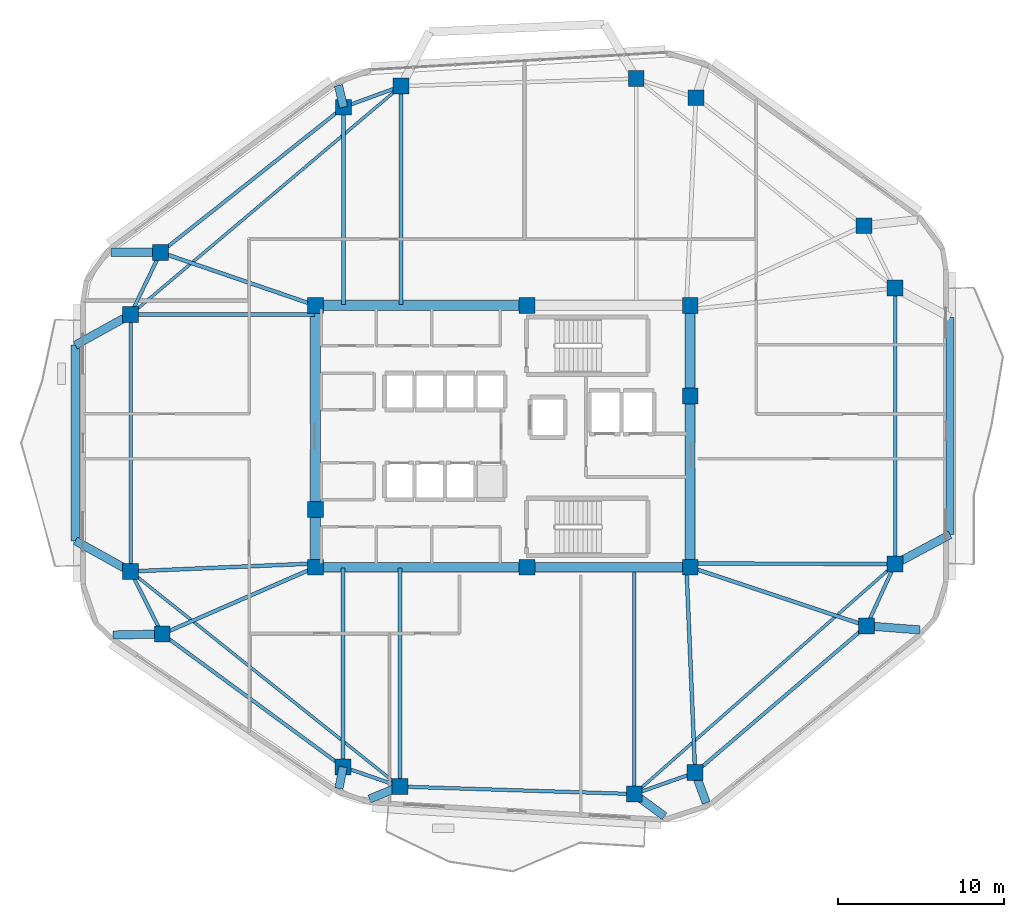
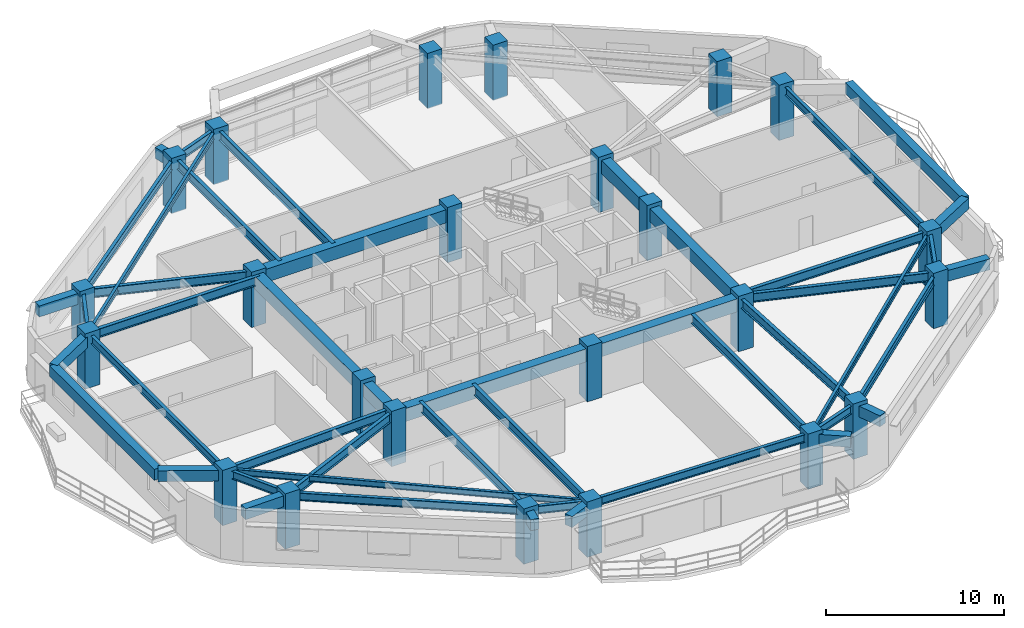
# One storey, part 1 of 15: 47 beams, 24 columns.
"""IFC4 building model written with IfcOpenShell, lengths in metres."""

import ifcopenshell
import ifcopenshell.guid

model = None  # the IFC model being written
_history = None  # IfcOwnerHistory: only IFC2X3 demands one
_inside = {}  # id of a spatial element -> (the spatial element, [elements in it])
_under = {}  # id of a project, library or spatial element -> (it, [spatial elements below it])
_declared = {}  # id of a project -> (the project, [libraries it declares])
_typed = {}  # id of a type object -> (the type object, [elements of that type])
_made_of = {}  # id of a material, layer set ... -> (it, [elements and type objects made of it])


def new_model(schema):
    """Start an empty IFC model of exactly this schema.

    Asked for "IFC4X3", IfcOpenShell would pick the latest addendum, in which some entities
    have other attributes; the version numbers below select the first issue.
    IFC2X3 requires an IfcOwnerHistory on every rooted entity: one is made here for all.
    """
    global model, _history
    if schema == "IFC4X3":
        model = ifcopenshell.file(schema_version=(4, 3, 0, 0))
    else:
        model = ifcopenshell.file(schema=schema)
    _inside.clear()
    _under.clear()
    _declared.clear()
    _typed.clear()
    _made_of.clear()
    _history = None
    if model.schema == "IFC2X3":
        org = make("IfcOrganization", Name="unknown")
        user = make(
            "IfcPersonAndOrganization",
            ThePerson=make("IfcPerson", FamilyName="unknown"),
            TheOrganization=org,
        )
        app = make(
            "IfcApplication",
            ApplicationDeveloper=org,
            Version="unknown",
            ApplicationFullName="unknown",
            ApplicationIdentifier="unknown",
        )
        _history = make(
            "IfcOwnerHistory",
            OwningUser=user,
            OwningApplication=app,
            ChangeAction="ADDED",
            CreationDate=0,
        )
    return model


def make(cls, **values):
    """One entity of the class cls with the attributes given. An attribute that is None is left unset."""
    return model.create_entity(
        cls, **{name: value for name, value in values.items() if value is not None}
    )


def rooted(cls, **values):
    """An entity with a GlobalId (a new one), such as an element, a storey or a relation."""
    return make(cls, GlobalId=ifcopenshell.guid.new(), OwnerHistory=_history, **values)


def si_unit(unit_type, name, prefix=None):
    """IfcSIUnit, for example si_unit("LENGTHUNIT", "METRE", prefix="MILLI")."""
    return make("IfcSIUnit", UnitType=unit_type, Prefix=prefix, Name=name)


def assignment(units):
    """IfcUnitAssignment: the units of a project."""
    return None if units is None else make("IfcUnitAssignment", Units=units)


def point(xyz):
    """IfcCartesianPoint."""
    return None if xyz is None else make("IfcCartesianPoint", Coordinates=xyz)


def direction(xyz):
    """IfcDirection."""
    return None if xyz is None else make("IfcDirection", DirectionRatios=xyz)


def frame(location, z_axis=None, x_axis=None):
    """IfcAxis2Placement3D, a coordinate frame: its origin and axes. An axis left out is left unset."""
    return make(
        "IfcAxis2Placement3D",
        Location=point(location),
        Axis=direction(z_axis),
        RefDirection=direction(x_axis),
    )


def frame_2d(location, x_axis=None):
    """IfcAxis2Placement2D, a coordinate frame in the plane: its origin and x axis."""
    return make(
        "IfcAxis2Placement2D", Location=point(location), RefDirection=direction(x_axis)
    )


def origin():
    """The frame at (0, 0, 0) with its axes left unset."""
    return frame((0.0, 0.0, 0.0))


def origin_2d():
    """The frame at (0, 0) in the plane with its x axis left unset."""
    return frame_2d((0.0, 0.0))


def place(relative_to, where):
    """IfcLocalPlacement: puts the frame where relative to a parent placement (None: the world)."""
    return make(
        "IfcLocalPlacement", PlacementRelTo=relative_to, RelativePlacement=where
    )


def context(
    kind, dimensions, precision=None, world=None, true_north=None, identifier=None
):
    """IfcGeometricRepresentationContext, for example the 3D "Model" context."""
    return make(
        "IfcGeometricRepresentationContext",
        ContextIdentifier=identifier,
        ContextType=kind,
        CoordinateSpaceDimension=dimensions,
        Precision=precision,
        WorldCoordinateSystem=world,
        TrueNorth=true_north,
    )


def subcontext(parent, identifier, kind, view, scale=None):
    """IfcGeometricRepresentationSubContext, for example "Body" below "Model"."""
    return make(
        "IfcGeometricRepresentationSubContext",
        ContextIdentifier=identifier,
        ContextType=kind,
        ParentContext=parent,
        TargetScale=scale,
        TargetView=view,
    )


def project(units=None, contexts=None):
    """IfcProject with its units and contexts."""
    return rooted(
        "IfcProject",
        Name="project",
        RepresentationContexts=contexts,
        UnitsInContext=assignment(units),
    )


def spatial(cls, under=None, at=None, **own):
    """A site, building, storey or space (cls), placed at a placement, below another one or the project."""
    s = rooted(cls, ObjectPlacement=at, **own)
    if under is not None:
        _under.setdefault(under.id(), (under, []))[1].append(s)
    return s


def profile(cls, at=None, kind="AREA", **sizes):
    """A parametric profile (cls). Its sizes go by their IFC names, for example OverallWidth=200.0."""
    return make(cls, ProfileType=kind, Position=at, **sizes)


def rectangle(**sizes):
    """IfcRectangleProfileDef."""
    return profile("IfcRectangleProfileDef", **sizes)


def i_section(**sizes):
    """IfcIShapeProfileDef."""
    return profile("IfcIShapeProfileDef", **sizes)


def extrude(swept, where, along, depth):
    """IfcExtrudedAreaSolid: the profile swept, set in the frame where, extruded along a direction by depth."""
    return make(
        "IfcExtrudedAreaSolid",
        SweptArea=swept,
        Position=where,
        ExtrudedDirection=direction(along),
        Depth=depth,
    )


def shape(context_of_items, identifier, shape_type, items):
    """IfcShapeRepresentation: the items that make up one representation, for example the "Body"."""
    return make(
        "IfcShapeRepresentation",
        ContextOfItems=context_of_items,
        RepresentationIdentifier=identifier,
        RepresentationType=shape_type,
        Items=items,
    )


def material(Name=None, Category=None):
    """IfcMaterial."""
    return make("IfcMaterial", Name=Name, Category=Category)


def material_profile(
    of_material, cross_section, Name=None, Category=None, Priority=None
):
    """IfcMaterialProfile: a cross section and its material."""
    return make(
        "IfcMaterialProfile",
        Name=Name,
        Material=of_material,
        Profile=cross_section,
        Priority=Priority,
        Category=Category,
    )


def profile_set(profiles, Name=None, composite=None):
    """IfcMaterialProfileSet."""
    return make(
        "IfcMaterialProfileSet",
        Name=Name,
        MaterialProfiles=profiles,
        CompositeProfile=composite,
    )


def made_of(thing, what):
    """Note that an element or type object is made of a material, layer set ...; save() writes the relation."""
    if what is not None:
        _made_of.setdefault(what.id(), (what, []))[1].append(thing)
    return thing


def type_object(cls, material=None, **own):
    """A type object (cls), such as IfcWallType, which elements share."""
    return made_of(rooted(cls, **own), material)


def element(
    cls,
    number,
    at=None,
    inside=None,
    cuts=None,
    type_object=None,
    material=None,
    context=None,
    identifier="Body",
    shape_type=None,
    held_by="IfcProductDefinitionShape",
    body=None,
    shapes=None,
    **own,
):
    """One element of the class cls, such as IfcWall. Its Tag is "e" and its number.

    at: its placement. inside: the storey or other place that contains it. cuts: it is an
    opening in that element (IfcRelVoidsElement). A single representation is given by context,
    identifier, shape_type and body (its items); several are given by shapes. held_by: the class
    of the entity that holds the representations. save() writes the other relations.
    """
    e = rooted(cls, Tag="e%d" % number, ObjectPlacement=at, **own)
    if body is not None:
        shapes = [shape(context, identifier, shape_type, body)]
    if shapes is not None:
        e.Representation = make(held_by, Representations=shapes)
    if inside is not None:
        _inside.setdefault(inside.id(), (inside, []))[1].append(e)
    if cuts is not None:
        rooted(
            "IfcRelVoidsElement", RelatingBuildingElement=cuts, RelatedOpeningElement=e
        )
    if type_object is not None:
        _typed.setdefault(type_object.id(), (type_object, []))[1].append(e)
    return made_of(e, material)


def aggregate(whole, parts):
    """IfcRelAggregates: a whole, such as a stair, and the parts it consists of."""
    return rooted("IfcRelAggregates", RelatingObject=whole, RelatedObjects=parts)


def save(model, path):
    """Write the relations noted so far, then the file.

    IfcRelAggregates (storeys below a building ...), IfcRelContainedInSpatialStructure (elements
    in a storey), IfcRelDefinesByType, IfcRelAssociatesMaterial and IfcRelDeclares: one each for
    every whole, place, type object, material and project.
    """
    for whole, parts in _under.values():
        aggregate(whole, parts)
    for where, things in _inside.values():
        rooted(
            "IfcRelContainedInSpatialStructure",
            RelatedElements=things,
            RelatingStructure=where,
        )
    for kind, things in _typed.values():
        rooted("IfcRelDefinesByType", RelatedObjects=things, RelatingType=kind)
    for what, things in _made_of.values():
        rooted("IfcRelAssociatesMaterial", RelatedObjects=things, RelatingMaterial=what)
    for by, libraries in _declared.values():
        rooted("IfcRelDeclares", RelatingContext=by, RelatedDefinitions=libraries)
    model.write(path)


model = new_model("IFC4")

# Units and contexts
model_context = context("Model", 3, precision=1e-05, world=origin(), true_north=direction((0.0, 1.0)))
body_context = subcontext(model_context, "Body", "Model", "MODEL_VIEW")
ifc_project = project(units=[si_unit("LENGTHUNIT", "METRE"), si_unit("AREAUNIT", "SQUARE_METRE"), si_unit("VOLUMEUNIT", "CUBIC_METRE"), si_unit("PLANEANGLEUNIT", "RADIAN"), si_unit("MASSUNIT", "GRAM", prefix="KILO")], contexts=[model_context])

# Site, building, storey
site_placement = place(None, origin())
site = spatial("IfcSite", under=ifc_project, at=site_placement, CompositionType="ELEMENT")
building_placement = place(site_placement, origin())
building = spatial("IfcBuilding", under=site, at=building_placement, Name="Zulverin Broadcast Headquarters", CompositionType="ELEMENT")
storey_placement = place(building_placement, frame((0.0, 0.0, 193.39990234375)))
storey = spatial("IfcBuildingStorey", under=building, at=storey_placement, Name="L49", CompositionType="ELEMENT", Elevation=193.39990234375)

# Columns
ifc_material_1 = material(Name="Concrete C50/60", Category="concrete")
ifc_material_profile_1 = material_profile(ifc_material_1, rectangle(XDim=0.949951171875, YDim=0.949951171875, at=origin_2d()), Name="Concrete C50/60", Category="concrete")
ifc_profile_set_1 = profile_set([ifc_material_profile_1], Name="Concrete C50/60")
column_type_1 = type_object("IfcColumnType", Name="COL-RC-950", PredefinedType="COLUMN", material=ifc_profile_set_1)
for number, where, z_axis, x_axis, name in (
    (1, (30.80859375, 4.12744140625, 0.0), (0.0, 0.0, 1.0), (1.0, 0.0, 0.0), "L49 Perimeter Column T01"),
    (2, (44.909912109375, 3.68017578125, 0.0), (0.0, 0.0, 1.0), (1.0, 0.0, 0.0), "L49 Perimeter Column T02"),
    (3, (48.569580078125, 4.967041015625, 0.0), (0.0, 0.0, 1.0), (1.0, 0.0, 0.0), "L49 Perimeter Column T03"),
    (4, (58.886962890625, 13.798095703125, 0.0), (0.0, 0.0, 1.0), (1.0, 0.0, 0.0), "L49 Perimeter Column T04"),
    (5, (60.60009765625, 17.519287109375, 0.0), (0.0, 0.0, 1.0), (1.0, 0.0, 0.0), "L49 Perimeter Column T05"),
    (6, (60.60009765625, 34.12158203125, 0.0), (0.0, 0.0, 1.0), (1.0, 0.0, 0.0), "L49 Perimeter Column T06"),
    (7, (58.738037109375, 37.877685546875, 0.0), (0.0, 0.0, 1.0), (1.0, 0.0, 0.0), "L49 Perimeter Column T07"),
    (8, (48.62158203125, 45.574951171875, 0.0), (0.0, 0.0, 1.0), (1.0, 0.0, 0.0), "L49 Perimeter Column T08"),
    (9, (45.027587890625, 46.7236328125, 0.0), (0.0, 0.0, 1.0), (1.0, 0.0, 0.0), "L49 Perimeter Column T09"),
    (10, (30.882080078125, 46.27490234375, 0.0), (0.0, 0.0, 1.0), (1.0, 0.0, 0.0), "L49 Perimeter Column T10"),
    (11, (27.416259765625, 45.00439453125, 0.0), (0.0, 0.0, 1.0), (1.0, 0.0, 0.0), "L49 Perimeter Column T11"),
    (12, (16.40869140625, 36.26806640625, 0.0), (0.0, 0.0, 1.0), (1.0, 0.0, 0.0), "L49 Perimeter Column T12"),
    (13, (14.60009765625, 32.523193359375, 0.0), (0.0, 0.0, 1.0), (1.0, 0.0, 0.0), "L49 Perimeter Column T13"),
    (14, (14.60009765625, 17.072021484375, 0.0), (0.0, 0.0, 1.0), (1.0, 0.0, 0.0), "L49 Perimeter Column T14"),
    (15, (16.50537109375, 13.306884765625, 0.0), (0.0, 0.0, 1.0), (1.0, 0.0, 0.0), "L49 Perimeter Column T15"),
    (16, (27.38720703125, 5.309814453125, 0.0), (0.0, 0.0, 1.0), (1.0, 0.0, 0.0), "L49 Perimeter Column T16"),
):
    element("IfcColumn", number, at=place(storey_placement, frame(where, z_axis=z_axis, x_axis=x_axis)), inside=storey, type_object=column_type_1, Name=name, PredefinedType="COLUMN", context=body_context, shape_type="SweptSolid", body=[
        extrude(rectangle(XDim=0.949951171875, YDim=0.949951171875, at=origin_2d()), origin(), (0.0, 0.0, 1.0), 3.800048828125),
    ])
ifc_material_profile_2 = material_profile(ifc_material_1, rectangle(XDim=0.949951171875, YDim=0.949951171875, at=origin_2d()), Name="Concrete C50/60", Category="concrete")
ifc_profile_set_2 = profile_set([ifc_material_profile_2], Name="Concrete C50/60")
column_type_2 = type_object("IfcColumnType", Name="PIL-RC-950", PredefinedType="PILASTER", material=ifc_profile_set_2)
for number, where, z_axis, x_axis, name in (
    (17, (25.72509765625, 17.324951171875, 0.0), (0.0, 0.0, 1.0), (1.0, 0.0, 0.0), "L49 Core Pilaster K01"),
    (18, (38.449951171875, 17.324951171875, 0.0), (0.0, 0.0, 1.0), (1.0, 0.0, 0.0), "L49 Core Pilaster K02"),
    (19, (48.27490234375, 17.324951171875, 0.0), (0.0, 0.0, 1.0), (1.0, 0.0, 0.0), "L49 Core Pilaster K03"),
    (20, (48.27490234375, 27.6201171875, 0.0), (0.0, 0.0, 1.0), (1.0, 0.0, 0.0), "L49 Core Pilaster K04"),
    (21, (48.27490234375, 33.074951171875, 0.0), (0.0, 0.0, 1.0), (1.0, 0.0, 0.0), "L49 Core Pilaster K05"),
    (22, (38.449951171875, 33.074951171875, 0.0), (0.0, 0.0, 1.0), (1.0, 0.0, 0.0), "L49 Core Pilaster K06"),
    (23, (25.72509765625, 33.074951171875, 0.0), (0.0, 0.0, 1.0), (1.0, 0.0, 0.0), "L49 Core Pilaster K07"),
    (24, (25.72509765625, 20.800048828125, 0.0), (0.0, 0.0, 1.0), (1.0, 0.0, 0.0), "L49 Core Pilaster K08"),
):
    element("IfcColumn", number, at=place(storey_placement, frame(where, z_axis=z_axis, x_axis=x_axis)), inside=storey, type_object=column_type_2, Name=name, PredefinedType="PILASTER", context=body_context, shape_type="SweptSolid", body=[
        extrude(rectangle(XDim=0.949951171875, YDim=0.949951171875, at=origin_2d()), origin(), (0.0, 0.0, 1.0), 3.800048828125),
    ])

# Beams
ifc_material_2 = material(Name="Concrete C60/75", Category="concrete")
ifc_material_profile_3 = material_profile(ifc_material_2, rectangle(XDim=0.60009765625, YDim=0.89990234375, at=origin_2d()), Name="Concrete C60/75", Category="concrete")
ifc_profile_set_3 = profile_set([ifc_material_profile_3], Name="Concrete C60/75")
beam_type_1 = type_object("IfcBeamType", Name="BM-CB-600x900", PredefinedType="LINTEL", material=ifc_profile_set_3)
beam_1_placement = place(storey_placement, frame((25.72509765625, 17.324951171875, 3.090087890625), z_axis=(1.0, 0.0, 0.0), x_axis=(0.0, 1.0, 0.0)))
element("IfcBeam", 25, at=beam_1_placement, inside=storey, type_object=beam_type_1, Name="L49 Core Coupling Girder K01-K02", PredefinedType="LINTEL", context=body_context, shape_type="SweptSolid", body=[
    extrude(rectangle(XDim=0.60009765625, YDim=0.89990234375, at=origin_2d()), origin(), (0.0, 0.0, 1.0), 12.724853515625),
])
beam_2_placement = place(storey_placement, frame((38.449951171875, 17.324951171875, 3.090087890625), z_axis=(1.0, 0.0, 0.0), x_axis=(0.0, 1.0, 0.0)))
element("IfcBeam", 26, at=beam_2_placement, inside=storey, type_object=beam_type_1, Name="L49 Core Coupling Girder K02-K03", PredefinedType="LINTEL", context=body_context, shape_type="SweptSolid", body=[
    extrude(rectangle(XDim=0.60009765625, YDim=0.89990234375, at=origin_2d()), origin(), (0.0, 0.0, 1.0), 9.824951171875),
])
beam_3_placement = place(storey_placement, frame((48.27490234375, 17.324951171875, 3.090087890625), z_axis=(0.0, 1.0, 0.0), x_axis=(-1.0, 0.0, 0.0)))
element("IfcBeam", 27, at=beam_3_placement, inside=storey, type_object=beam_type_1, Name="L49 Core Coupling Girder K03-K04", PredefinedType="LINTEL", context=body_context, shape_type="SweptSolid", body=[
    extrude(rectangle(XDim=0.60009765625, YDim=0.89990234375, at=origin_2d()), origin(), (0.0, 0.0, 1.0), 10.295166015625),
])
beam_4_placement = place(storey_placement, frame((48.27490234375, 27.6201171875, 3.090087890625), z_axis=(0.0, 1.0, 0.0), x_axis=(-1.0, 0.0, 0.0)))
element("IfcBeam", 28, at=beam_4_placement, inside=storey, type_object=beam_type_1, Name="L49 Core Coupling Girder K04-K05", PredefinedType="LINTEL", context=body_context, shape_type="SweptSolid", body=[
    extrude(rectangle(XDim=0.60009765625, YDim=0.89990234375, at=origin_2d()), origin(), (0.0, 0.0, 1.0), 5.454833984375),
])
beam_5_placement = place(storey_placement, frame((38.449951171875, 33.074951171875, 3.090087890625), z_axis=(-1.0, 0.0, 0.0), x_axis=(0.0, -1.0, 0.0)))
element("IfcBeam", 29, at=beam_5_placement, inside=storey, type_object=beam_type_1, Name="L49 Core Coupling Girder K06-K07", PredefinedType="LINTEL", context=body_context, shape_type="SweptSolid", body=[
    extrude(rectangle(XDim=0.60009765625, YDim=0.89990234375, at=origin_2d()), origin(), (0.0, 0.0, 1.0), 12.724853515625),
])
beam_6_placement = place(storey_placement, frame((25.72509765625, 33.074951171875, 3.090087890625), z_axis=(0.0, -1.0, 0.0), x_axis=(1.0, 0.0, 0.0)))
element("IfcBeam", 30, at=beam_6_placement, inside=storey, type_object=beam_type_1, Name="L49 Core Coupling Girder K07-K08", PredefinedType="LINTEL", context=body_context, shape_type="SweptSolid", body=[
    extrude(rectangle(XDim=0.60009765625, YDim=0.89990234375, at=origin_2d()), origin(), (0.0, 0.0, 1.0), 12.27490234375),
])
beam_7_placement = place(storey_placement, frame((25.72509765625, 20.800048828125, 3.090087890625), z_axis=(0.0, -1.0, 0.0), x_axis=(1.0, 0.0, 0.0)))
element("IfcBeam", 31, at=beam_7_placement, inside=storey, type_object=beam_type_1, Name="L49 Core Coupling Girder K08-K01", PredefinedType="LINTEL", context=body_context, shape_type="SweptSolid", body=[
    extrude(rectangle(XDim=0.60009765625, YDim=0.89990234375, at=origin_2d()), origin(), (0.0, 0.0, 1.0), 3.47509765625),
])
ifc_material_3 = material(Name="Concrete C40/50", Category="concrete")
ifc_material_profile_4 = material_profile(ifc_material_3, rectangle(XDim=0.5, YDim=0.75, at=origin_2d()), Name="Concrete C40/50", Category="concrete")
ifc_profile_set_4 = profile_set([ifc_material_profile_4], Name="Concrete C40/50")
beam_type_2 = type_object("IfcBeamType", Name="BM-RC-500x750", PredefinedType="BEAM", material=ifc_profile_set_4)
beam_8_placement = place(storey_placement, frame((30.80859375, 4.12744140625, 3.1650390625), z_axis=(-0.926598490147, -0.376052174649, 0.0), x_axis=(0.376052174649, -0.926598490147, 0.0)))
element("IfcBeam", 32, at=beam_8_placement, inside=storey, type_object=beam_type_2, Name="L50 Plate Overhang Back-Spanned Beam OVR-01", PredefinedType="BEAM", context=body_context, shape_type="SweptSolid", body=[
    extrude(rectangle(XDim=0.5, YDim=0.75, at=origin_2d()), origin(), (0.0, 0.0, 1.0), 1.9755859375),
])
beam_9_placement = place(storey_placement, frame((44.909912109375, 3.68017578125, 3.1650390625), z_axis=(0.805245889959, -0.592941022956, 0.0), x_axis=(0.592941022956, 0.805245889959, 0.0)))
element("IfcBeam", 33, at=beam_9_placement, inside=storey, type_object=beam_type_2, Name="L50 Plate Overhang Back-Spanned Beam OVR-02", PredefinedType="BEAM", context=body_context, shape_type="SweptSolid", body=[
    extrude(rectangle(XDim=0.5, YDim=0.75, at=origin_2d()), origin(), (0.0, 0.0, 1.0), 2.259765625),
])
beam_10_placement = place(storey_placement, frame((48.569580078125, 4.967041015625, 3.1650390625), z_axis=(0.345752020663, -0.938325924297, 0.0), x_axis=(0.938325924297, 0.345752020663, 0.0)))
element("IfcBeam", 34, at=beam_10_placement, inside=storey, type_object=beam_type_2, Name="L50 Plate Overhang Back-Spanned Beam OVR-03", PredefinedType="BEAM", context=body_context, shape_type="SweptSolid", body=[
    extrude(rectangle(XDim=0.5, YDim=0.75, at=origin_2d()), origin(), (0.0, 0.0, 1.0), 1.939697265625),
])
beam_11_placement = place(storey_placement, frame((58.886962890625, 13.798095703125, 3.1650390625), z_axis=(0.997102032175, -0.076075866292, 0.0), x_axis=(0.076075866292, 0.997102032175, 0.0)))
element("IfcBeam", 35, at=beam_11_placement, inside=storey, type_object=beam_type_2, Name="L50 Plate Overhang Back-Spanned Beam OVR-04", PredefinedType="BEAM", context=body_context, shape_type="SweptSolid", body=[
    extrude(rectangle(XDim=0.5, YDim=0.75, at=origin_2d()), origin(), (0.0, 0.0, 1.0), 3.21875),
])
beam_12_placement = place(storey_placement, frame((27.416259765625, 45.00439453125, 3.1650390625), z_axis=(-0.226537446689, 0.97400245649, 0.0), x_axis=(-0.97400245649, -0.226537446689, 0.0)))
element("IfcBeam", 36, at=beam_12_placement, inside=storey, type_object=beam_type_2, Name="L50 Plate Overhang Back-Spanned Beam OVR-11", PredefinedType="BEAM", context=body_context, shape_type="SweptSolid", body=[
    extrude(rectangle(XDim=0.5, YDim=0.75, at=origin_2d()), origin(), (0.0, 0.0, 1.0), 1.349365234375),
])
beam_13_placement = place(storey_placement, frame((16.40869140625, 36.26806640625, 3.1650390625), z_axis=(-0.999987827006, 0.004934150462, 0.0), x_axis=(-0.004934150462, -0.999987827006, 0.0)))
element("IfcBeam", 37, at=beam_13_placement, inside=storey, type_object=beam_type_2, Name="L50 Plate Overhang Back-Spanned Beam OVR-12", PredefinedType="BEAM", context=body_context, shape_type="SweptSolid", body=[
    extrude(rectangle(XDim=0.5, YDim=0.75, at=origin_2d()), origin(), (0.0, 0.0, 1.0), 2.96875),
])
beam_14_placement = place(storey_placement, frame((16.50537109375, 13.306884765625, 3.1650390625), z_axis=(-0.999808645539, -0.019562011805, 0.0), x_axis=(0.019562011805, -0.999808645539, 0.0)))
element("IfcBeam", 38, at=beam_14_placement, inside=storey, type_object=beam_type_2, Name="L50 Plate Overhang Back-Spanned Beam OVR-15", PredefinedType="BEAM", context=body_context, shape_type="SweptSolid", body=[
    extrude(rectangle(XDim=0.5, YDim=0.75, at=origin_2d()), origin(), (0.0, 0.0, 1.0), 2.957763671875),
])
beam_15_placement = place(storey_placement, frame((27.38720703125, 5.309814453125, 3.1650390625), z_axis=(-0.186527092112, -0.982449817501, 0.0), x_axis=(0.982449817501, -0.186527092112, 0.0)))
element("IfcBeam", 39, at=beam_15_placement, inside=storey, type_object=beam_type_2, Name="L50 Plate Overhang Back-Spanned Beam OVR-16", PredefinedType="BEAM", context=body_context, shape_type="SweptSolid", body=[
    extrude(rectangle(XDim=0.5, YDim=0.75, at=origin_2d()), origin(), (0.0, 0.0, 1.0), 1.3232421875),
])
beam_16_placement = place(storey_placement, frame((60.60009765625, 17.519287109375, 3.1650390625), z_axis=(0.881522552511, 0.472141916604, 0.0), x_axis=(-0.472141916604, 0.881522552511, 0.0)))
element("IfcBeam", 40, at=beam_16_placement, inside=storey, type_object=beam_type_2, Name="L50 Balcony Column-Framed Cantilever BAL_E-1", PredefinedType="BEAM", context=body_context, shape_type="SweptSolid", body=[
    extrude(rectangle(XDim=0.5, YDim=0.75, at=origin_2d()), origin(), (0.0, 0.0, 1.0), 3.75),
])
beam_17_placement = place(storey_placement, frame((63.90576171875, 19.289794921875, 3.1650390625), z_axis=(0.000298908969, 0.999999955327, 0.0), x_axis=(-0.999999955327, 0.000298908969, 0.0)))
element("IfcBeam", 41, at=beam_17_placement, inside=storey, type_object=beam_type_2, Name="L50 Balcony Outer Edge Trimmer Beam BAL_E", PredefinedType="BEAM", context=body_context, shape_type="SweptSolid", body=[
    extrude(rectangle(XDim=0.5, YDim=0.75, at=origin_2d()), origin(), (0.0, 0.0, 1.0), 13.068359375),
])
for number, where, z_axis, x_axis, name in (
    (42, (14.60009765625, 32.523193359375, 3.1650390625), (-0.875019567372, -0.484087550672, 0.0), (0.484087550672, -0.875019567372, 0.0), "L50 Balcony Column-Framed Cantilever BAL_W-1"),
    (43, (14.60009765625, 17.072021484375, 3.1650390625), (-0.874154245552, 0.485648386163, 0.0), (-0.485648386163, -0.874154245552, 0.0), "L50 Balcony Column-Framed Cantilever BAL_W-2"),
):
    element("IfcBeam", number, at=place(storey_placement, frame(where, z_axis=z_axis, x_axis=x_axis)), inside=storey, type_object=beam_type_2, Name=name, PredefinedType="BEAM", context=body_context, shape_type="SweptSolid", body=[
        extrude(rectangle(XDim=0.5, YDim=0.75, at=origin_2d()), origin(), (0.0, 0.0, 1.0), 3.800048828125),
    ])
beam_18_placement = place(storey_placement, frame((11.27490234375, 30.68359375, 3.1650390625), z_axis=(0.00029049258, -0.999999957807, 0.0), x_axis=(0.999999957807, 0.00029049258, 0.0)))
element("IfcBeam", 44, at=beam_18_placement, inside=storey, type_object=beam_type_2, Name="L50 Balcony Outer Edge Trimmer Beam BAL_W", PredefinedType="BEAM", context=body_context, shape_type="SweptSolid", body=[
    extrude(rectangle(XDim=0.5, YDim=0.75, at=origin_2d()), origin(), (0.0, 0.0, 1.0), 11.76611328125),
])
ifc_material_4 = material(Name="Structural steel S355JR", Category="steel")
ifc_material_profile_5 = material_profile(ifc_material_4, i_section(OverallWidth=0.179443359375, OverallDepth=0.412841796875, WebThickness=0.009521484375, FlangeThickness=0.01611328125, at=origin_2d()), Name="Structural steel S355JR", Category="steel")
ifc_profile_set_5 = profile_set([ifc_material_profile_5], Name="Structural steel S355JR")
beam_type_3 = type_object("IfcBeamType", Name="BM-UB-406", PredefinedType="JOIST", material=ifc_profile_set_5)
beam_19_placement = place(storey_placement, frame((44.909912109375, 3.68017578125, 3.333740234375), z_axis=(0.74996043981, 0.661482682102, 0.0), x_axis=(-0.661482682102, 0.74996043981, 0.0)))
element("IfcBeam", 45, at=beam_19_placement, inside=storey, type_object=beam_type_3, Name="L49 Chordal Floor Joist J-01", PredefinedType="JOIST", context=body_context, shape_type="SweptSolid", body=[
    extrude(i_section(OverallWidth=0.179443359375, OverallDepth=0.412841796875, WebThickness=0.009521484375, FlangeThickness=0.01611328125, at=origin_2d()), origin(), (0.0, 0.0, 1.0), 20.92138671875),
])
beam_20_placement = place(storey_placement, frame((30.882080078125, 46.27490234375, 3.333740234375), z_axis=(-0.763972566446, -0.645248725468, 0.0), x_axis=(0.645248725468, -0.763972566446, 0.0)))
element("IfcBeam", 46, at=beam_20_placement, inside=storey, type_object=beam_type_3, Name="L49 Chordal Floor Joist J-03", PredefinedType="JOIST", context=body_context, shape_type="SweptSolid", body=[
    extrude(i_section(OverallWidth=0.179443359375, OverallDepth=0.412841796875, WebThickness=0.009521484375, FlangeThickness=0.01611328125, at=origin_2d()), origin(), (0.0, 0.0, 1.0), 21.312255859375),
])
beam_21_placement = place(storey_placement, frame((14.60009765625, 17.072021484375, 3.333740234375), z_axis=(0.781390996609, -0.624041753746, 0.0), x_axis=(0.624041753746, 0.781390996609, 0.0)))
element("IfcBeam", 47, at=beam_21_placement, inside=storey, type_object=beam_type_3, Name="L49 Chordal Floor Joist J-04", PredefinedType="JOIST", context=body_context, shape_type="SweptSolid", body=[
    extrude(i_section(OverallWidth=0.179443359375, OverallDepth=0.412841796875, WebThickness=0.009521484375, FlangeThickness=0.01611328125, at=origin_2d()), origin(), (0.0, 0.0, 1.0), 20.7431640625),
])
ifc_material_profile_6 = material_profile(ifc_material_4, i_section(OverallWidth=0.2119140625, OverallDepth=0.54443359375, WebThickness=0.0126953125, FlangeThickness=0.021240234375, at=origin_2d()), Name="Structural steel S355JR", Category="steel")
ifc_profile_set_6 = profile_set([ifc_material_profile_6], Name="Structural steel S355JR")
beam_type_4 = type_object("IfcBeamType", Name="BM-UB-533", PredefinedType="SPANDREL", material=ifc_profile_set_6)
beam_22_placement = place(storey_placement, frame((30.80859375, 4.12744140625, 3.267822265625), z_axis=(0.999497363437, -0.031702058031, 0.0), x_axis=(0.031702058031, 0.999497363437, 0.0)))
element("IfcBeam", 48, at=beam_22_placement, inside=storey, type_object=beam_type_4, Name="L49 Perimeter Spandrel Beam SP-01", PredefinedType="SPANDREL", context=body_context, shape_type="SweptSolid", body=[
    extrude(i_section(OverallWidth=0.2119140625, OverallDepth=0.54443359375, WebThickness=0.0126953125, FlangeThickness=0.021240234375, at=origin_2d()), origin(), (0.0, 0.0, 1.0), 14.1083984375),
])
beam_23_placement = place(storey_placement, frame((44.909912109375, 3.68017578125, 3.267822265625), z_axis=(0.943376593622, 0.331723684121, 0.0), x_axis=(-0.331723684121, 0.943376593622, 0.0)))
element("IfcBeam", 49, at=beam_23_placement, inside=storey, type_object=beam_type_4, Name="L49 Perimeter Spandrel Beam SP-02", PredefinedType="SPANDREL", context=body_context, shape_type="SweptSolid", body=[
    extrude(i_section(OverallWidth=0.2119140625, OverallDepth=0.54443359375, WebThickness=0.0126953125, FlangeThickness=0.021240234375, at=origin_2d()), origin(), (0.0, 0.0, 1.0), 3.87939453125),
])
beam_24_placement = place(storey_placement, frame((48.569580078125, 4.967041015625, 3.267822265625), z_axis=(0.759708170965, 0.650264173217, 0.0), x_axis=(-0.650264173217, 0.759708170965, 0.0)))
element("IfcBeam", 50, at=beam_24_placement, inside=storey, type_object=beam_type_4, Name="L49 Perimeter Spandrel Beam SP-03", PredefinedType="SPANDREL", context=body_context, shape_type="SweptSolid", body=[
    extrude(i_section(OverallWidth=0.2119140625, OverallDepth=0.54443359375, WebThickness=0.0126953125, FlangeThickness=0.021240234375, at=origin_2d()), origin(), (0.0, 0.0, 1.0), 13.580810546875),
])
beam_25_placement = place(storey_placement, frame((58.886962890625, 13.798095703125, 3.267822265625), z_axis=(0.418184975358, 0.90836189175, 0.0), x_axis=(-0.90836189175, 0.418184975358, 0.0)))
element("IfcBeam", 51, at=beam_25_placement, inside=storey, type_object=beam_type_4, Name="L49 Perimeter Spandrel Beam SP-04", PredefinedType="SPANDREL", context=body_context, shape_type="SweptSolid", body=[
    extrude(i_section(OverallWidth=0.2119140625, OverallDepth=0.54443359375, WebThickness=0.0126953125, FlangeThickness=0.021240234375, at=origin_2d()), origin(), (0.0, 0.0, 1.0), 4.0966796875),
])
beam_26_placement = place(storey_placement, frame((60.60009765625, 17.519287109375, 3.267822265625), z_axis=(0.0, 1.0, 0.0), x_axis=(-1.0, 0.0, 0.0)))
element("IfcBeam", 52, at=beam_26_placement, inside=storey, type_object=beam_type_4, Name="L49 Perimeter Spandrel Beam SP-05", PredefinedType="SPANDREL", context=body_context, shape_type="SweptSolid", body=[
    extrude(i_section(OverallWidth=0.2119140625, OverallDepth=0.54443359375, WebThickness=0.0126953125, FlangeThickness=0.021240234375, at=origin_2d()), origin(), (0.0, 0.0, 1.0), 16.602294921875),
])
beam_27_placement = place(storey_placement, frame((30.882080078125, 46.27490234375, 3.267822265625), z_axis=(-0.938901965426, -0.344184687805, 0.0), x_axis=(0.344184687805, -0.938901965426, 0.0)))
element("IfcBeam", 53, at=beam_27_placement, inside=storey, type_object=beam_type_4, Name="L49 Perimeter Spandrel Beam SP-10", PredefinedType="SPANDREL", context=body_context, shape_type="SweptSolid", body=[
    extrude(i_section(OverallWidth=0.2119140625, OverallDepth=0.54443359375, WebThickness=0.0126953125, FlangeThickness=0.021240234375, at=origin_2d()), origin(), (0.0, 0.0, 1.0), 3.69140625),
])
beam_28_placement = place(storey_placement, frame((27.416259765625, 45.00439453125, 3.267822265625), z_axis=(-0.783283263401, -0.621664965457, 0.0), x_axis=(0.621664965457, -0.783283263401, 0.0)))
element("IfcBeam", 54, at=beam_28_placement, inside=storey, type_object=beam_type_4, Name="L49 Perimeter Spandrel Beam SP-11", PredefinedType="SPANDREL", context=body_context, shape_type="SweptSolid", body=[
    extrude(i_section(OverallWidth=0.2119140625, OverallDepth=0.54443359375, WebThickness=0.0126953125, FlangeThickness=0.021240234375, at=origin_2d()), origin(), (0.0, 0.0, 1.0), 14.05322265625),
])
beam_29_placement = place(storey_placement, frame((16.40869140625, 36.26806640625, 3.267822265625), z_axis=(-0.434890248034, -0.900483465792, 0.0), x_axis=(0.900483465792, -0.434890248034, 0.0)))
element("IfcBeam", 55, at=beam_29_placement, inside=storey, type_object=beam_type_4, Name="L49 Perimeter Spandrel Beam SP-12", PredefinedType="SPANDREL", context=body_context, shape_type="SweptSolid", body=[
    extrude(i_section(OverallWidth=0.2119140625, OverallDepth=0.54443359375, WebThickness=0.0126953125, FlangeThickness=0.021240234375, at=origin_2d()), origin(), (0.0, 0.0, 1.0), 4.15869140625),
])
beam_30_placement = place(storey_placement, frame((14.60009765625, 32.523193359375, 3.267822265625), z_axis=(0.0, -1.0, 0.0), x_axis=(1.0, 0.0, 0.0)))
element("IfcBeam", 56, at=beam_30_placement, inside=storey, type_object=beam_type_4, Name="L49 Perimeter Spandrel Beam SP-13", PredefinedType="SPANDREL", context=body_context, shape_type="SweptSolid", body=[
    extrude(i_section(OverallWidth=0.2119140625, OverallDepth=0.54443359375, WebThickness=0.0126953125, FlangeThickness=0.021240234375, at=origin_2d()), origin(), (0.0, 0.0, 1.0), 15.451171875),
])
beam_31_placement = place(storey_placement, frame((14.60009765625, 17.072021484375, 3.267822265625), z_axis=(0.451512947895, -0.892264567201, 0.0), x_axis=(0.892264567201, 0.451512947895, 0.0)))
element("IfcBeam", 57, at=beam_31_placement, inside=storey, type_object=beam_type_4, Name="L49 Perimeter Spandrel Beam SP-14", PredefinedType="SPANDREL", context=body_context, shape_type="SweptSolid", body=[
    extrude(i_section(OverallWidth=0.2119140625, OverallDepth=0.54443359375, WebThickness=0.0126953125, FlangeThickness=0.021240234375, at=origin_2d()), origin(), (0.0, 0.0, 1.0), 4.2197265625),
])
beam_32_placement = place(storey_placement, frame((16.50537109375, 13.306884765625, 3.267822265625), z_axis=(0.805802234061, -0.592184734338, 0.0), x_axis=(0.592184734338, 0.805802234061, 0.0)))
element("IfcBeam", 58, at=beam_32_placement, inside=storey, type_object=beam_type_4, Name="L49 Perimeter Spandrel Beam SP-15", PredefinedType="SPANDREL", context=body_context, shape_type="SweptSolid", body=[
    extrude(i_section(OverallWidth=0.2119140625, OverallDepth=0.54443359375, WebThickness=0.0126953125, FlangeThickness=0.021240234375, at=origin_2d()), origin(), (0.0, 0.0, 1.0), 13.50439453125),
])
beam_33_placement = place(storey_placement, frame((27.38720703125, 5.309814453125, 3.267822265625), z_axis=(0.945152732867, -0.326628705956, 0.0), x_axis=(0.326628705956, 0.945152732867, 0.0)))
element("IfcBeam", 59, at=beam_33_placement, inside=storey, type_object=beam_type_4, Name="L49 Perimeter Spandrel Beam SP-16", PredefinedType="SPANDREL", context=body_context, shape_type="SweptSolid", body=[
    extrude(i_section(OverallWidth=0.2119140625, OverallDepth=0.54443359375, WebThickness=0.0126953125, FlangeThickness=0.021240234375, at=origin_2d()), origin(), (0.0, 0.0, 1.0), 3.619873046875),
])
ifc_material_profile_7 = material_profile(ifc_material_4, i_section(OverallWidth=0.230224609375, OverallDepth=0.6171875, WebThickness=0.01318359375, FlangeThickness=0.022216796875, at=origin_2d()), Name="Structural steel S355JR", Category="steel")
ifc_profile_set_7 = profile_set([ifc_material_profile_7], Name="Structural steel S355JR")
beam_type_5 = type_object("IfcBeamType", Name="BM-UB-610", PredefinedType="BEAM", material=ifc_profile_set_7)
beam_34_placement = place(storey_placement, frame((30.80859375, 17.27490234375, 3.2314453125), z_axis=(0.0, -1.0, 0.0), x_axis=(1.0, 0.0, 0.0)))
element("IfcBeam", 60, at=beam_34_placement, inside=storey, type_object=beam_type_5, Name="L49 Radial Primary Floor Beam RB-01", PredefinedType="BEAM", context=body_context, shape_type="SweptSolid", body=[
    extrude(i_section(OverallWidth=0.230224609375, OverallDepth=0.6171875, WebThickness=0.01318359375, FlangeThickness=0.022216796875, at=origin_2d()), origin(), (0.0, 0.0, 1.0), 13.1474609375),
])
beam_35_placement = place(storey_placement, frame((44.909912109375, 17.27490234375, 3.2314453125), z_axis=(0.0, -1.0, 0.0), x_axis=(1.0, 0.0, 0.0)))
element("IfcBeam", 61, at=beam_35_placement, inside=storey, type_object=beam_type_5, Name="L49 Radial Primary Floor Beam RB-02", PredefinedType="BEAM", context=body_context, shape_type="SweptSolid", body=[
    extrude(i_section(OverallWidth=0.230224609375, OverallDepth=0.6171875, WebThickness=0.01318359375, FlangeThickness=0.022216796875, at=origin_2d()), origin(), (0.0, 0.0, 1.0), 13.5947265625),
])
beam_36_placement = place(storey_placement, frame((48.050048828125, 17.27490234375, 3.2314453125), z_axis=(0.042173778549, -0.99911029041, 0.0), x_axis=(0.99911029041, 0.042173778549, 0.0)))
element("IfcBeam", 62, at=beam_36_placement, inside=storey, type_object=beam_type_5, Name="L49 Radial Primary Floor Beam RB-03", PredefinedType="BEAM", context=body_context, shape_type="SweptSolid", body=[
    extrude(i_section(OverallWidth=0.230224609375, OverallDepth=0.6171875, WebThickness=0.01318359375, FlangeThickness=0.022216796875, at=origin_2d()), origin(), (0.0, 0.0, 1.0), 12.31884765625),
])
beam_37_placement = place(storey_placement, frame((48.27490234375, 17.324951171875, 3.2314453125), z_axis=(0.948964552547, -0.315382748432, 0.0), x_axis=(0.315382748432, 0.948964552547, 0.0)))
element("IfcBeam", 63, at=beam_37_placement, inside=storey, type_object=beam_type_5, Name="L49 Radial Primary Floor Beam RB-04", PredefinedType="BEAM", context=body_context, shape_type="SweptSolid", body=[
    extrude(i_section(OverallWidth=0.230224609375, OverallDepth=0.6171875, WebThickness=0.01318359375, FlangeThickness=0.022216796875, at=origin_2d()), origin(), (0.0, 0.0, 1.0), 11.182861328125),
])
beam_38_placement = place(storey_placement, frame((48.324951171875, 17.550048828125, 3.2314453125), z_axis=(0.999996859956, -0.002506008559, 0.0), x_axis=(0.002506008559, 0.999996859956, 0.0)))
element("IfcBeam", 64, at=beam_38_placement, inside=storey, type_object=beam_type_5, Name="L49 Radial Primary Floor Beam RB-05", PredefinedType="BEAM", context=body_context, shape_type="SweptSolid", body=[
    extrude(i_section(OverallWidth=0.230224609375, OverallDepth=0.6171875, WebThickness=0.01318359375, FlangeThickness=0.022216796875, at=origin_2d()), origin(), (0.0, 0.0, 1.0), 12.275146484375),
])
beam_39_placement = place(storey_placement, frame((30.882080078125, 33.125, 3.2314453125), z_axis=(0.0, 1.0, 0.0), x_axis=(-1.0, 0.0, 0.0)))
element("IfcBeam", 65, at=beam_39_placement, inside=storey, type_object=beam_type_5, Name="L49 Radial Primary Floor Beam RB-10", PredefinedType="BEAM", context=body_context, shape_type="SweptSolid", body=[
    extrude(i_section(OverallWidth=0.230224609375, OverallDepth=0.6171875, WebThickness=0.01318359375, FlangeThickness=0.022216796875, at=origin_2d()), origin(), (0.0, 0.0, 1.0), 13.14990234375),
])
beam_40_placement = place(storey_placement, frame((27.416259765625, 33.125, 3.2314453125), z_axis=(0.0, 1.0, 0.0), x_axis=(-1.0, 0.0, 0.0)))
element("IfcBeam", 66, at=beam_40_placement, inside=storey, type_object=beam_type_5, Name="L49 Radial Primary Floor Beam RB-11", PredefinedType="BEAM", context=body_context, shape_type="SweptSolid", body=[
    extrude(i_section(OverallWidth=0.230224609375, OverallDepth=0.6171875, WebThickness=0.01318359375, FlangeThickness=0.022216796875, at=origin_2d()), origin(), (0.0, 0.0, 1.0), 11.87939453125),
])
beam_41_placement = place(storey_placement, frame((25.72509765625, 33.074951171875, 3.2314453125), z_axis=(-0.945979621685, 0.324226086793, 0.0), x_axis=(-0.324226086793, -0.945979621685, 0.0)))
element("IfcBeam", 67, at=beam_41_placement, inside=storey, type_object=beam_type_5, Name="L49 Radial Primary Floor Beam RB-12", PredefinedType="BEAM", context=body_context, shape_type="SweptSolid", body=[
    extrude(i_section(OverallWidth=0.230224609375, OverallDepth=0.6171875, WebThickness=0.01318359375, FlangeThickness=0.022216796875, at=origin_2d()), origin(), (0.0, 0.0, 1.0), 9.848388671875),
])
beam_42_placement = place(storey_placement, frame((25.675048828125, 32.523193359375, 3.2314453125), z_axis=(-1.0, 0.0, 0.0), x_axis=(0.0, -1.0, 0.0)))
element("IfcBeam", 68, at=beam_42_placement, inside=storey, type_object=beam_type_5, Name="L49 Radial Primary Floor Beam RB-13", PredefinedType="BEAM", context=body_context, shape_type="SweptSolid", body=[
    extrude(i_section(OverallWidth=0.230224609375, OverallDepth=0.6171875, WebThickness=0.01318359375, FlangeThickness=0.022216796875, at=origin_2d()), origin(), (0.0, 0.0, 1.0), 11.074951171875),
])
beam_43_placement = place(storey_placement, frame((25.675048828125, 17.550048828125, 3.2314453125), z_axis=(-0.999069780306, -0.043122779134, 0.0), x_axis=(0.043122779134, -0.999069780306, 0.0)))
element("IfcBeam", 69, at=beam_43_placement, inside=storey, type_object=beam_type_5, Name="L49 Radial Primary Floor Beam RB-14", PredefinedType="BEAM", context=body_context, shape_type="SweptSolid", body=[
    extrude(i_section(OverallWidth=0.230224609375, OverallDepth=0.6171875, WebThickness=0.01318359375, FlangeThickness=0.022216796875, at=origin_2d()), origin(), (0.0, 0.0, 1.0), 11.085205078125),
])
beam_44_placement = place(storey_placement, frame((25.72509765625, 17.324951171875, 3.2314453125), z_axis=(-0.916724690104, -0.39951951461, 0.0), x_axis=(0.39951951461, -0.916724690104, 0.0)))
element("IfcBeam", 70, at=beam_44_placement, inside=storey, type_object=beam_type_5, Name="L49 Radial Primary Floor Beam RB-15", PredefinedType="BEAM", context=body_context, shape_type="SweptSolid", body=[
    extrude(i_section(OverallWidth=0.230224609375, OverallDepth=0.6171875, WebThickness=0.01318359375, FlangeThickness=0.022216796875, at=origin_2d()), origin(), (0.0, 0.0, 1.0), 10.05712890625),
])
beam_45_placement = place(storey_placement, frame((27.38720703125, 17.27490234375, 3.2314453125), z_axis=(0.0, -1.0, 0.0), x_axis=(1.0, 0.0, 0.0)))
element("IfcBeam", 71, at=beam_45_placement, inside=storey, type_object=beam_type_5, Name="L49 Radial Primary Floor Beam RB-16", PredefinedType="BEAM", context=body_context, shape_type="SweptSolid", body=[
    extrude(i_section(OverallWidth=0.230224609375, OverallDepth=0.6171875, WebThickness=0.01318359375, FlangeThickness=0.022216796875, at=origin_2d()), origin(), (0.0, 0.0, 1.0), 11.965087890625),
])

save(model, "model.ifc")
